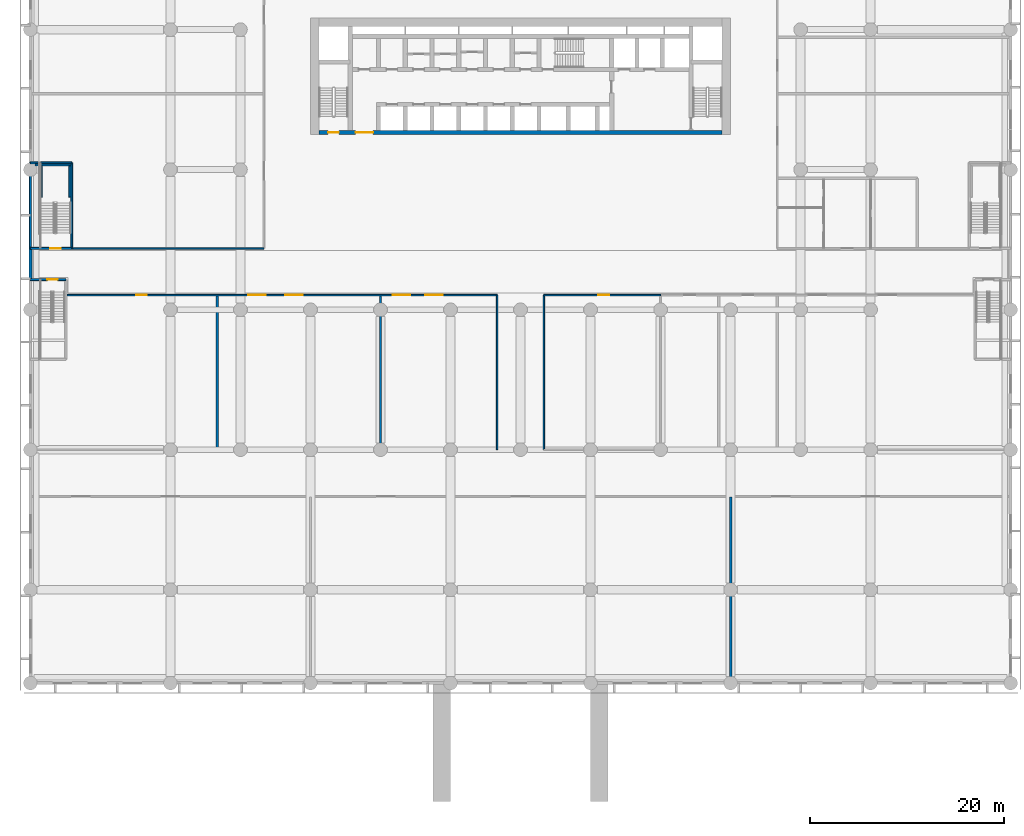
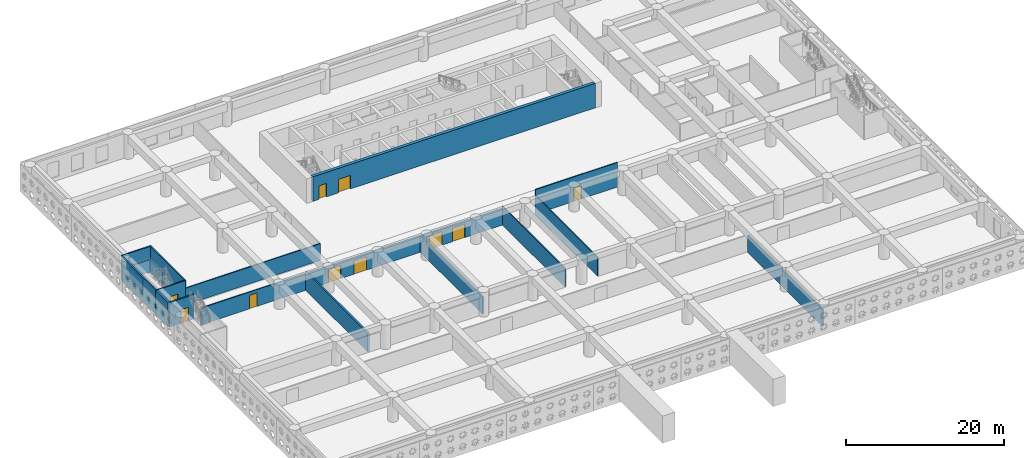
# One storey, part 4 of 23: 18 walls, 10 doors, 10 openings.
"""IFC4 building model written with IfcOpenShell, lengths in metres."""

from ifc_helpers import new_model, si_unit, direction, frame, frame_2d, origin, place, context, subcontext, project, spatial, rectangle, extrude, material, layer, layer_set, type_object, element, fill, save


model = new_model("IFC4")

# Units and contexts
model_context = context("Model", 3, precision=1e-05, world=origin(), true_north=direction((0.0, 1.0)))
body_context = subcontext(model_context, "Body", "Model", "MODEL_VIEW")
ifc_project = project(units=[si_unit("LENGTHUNIT", "METRE"), si_unit("AREAUNIT", "SQUARE_METRE"), si_unit("VOLUMEUNIT", "CUBIC_METRE"), si_unit("PLANEANGLEUNIT", "RADIAN"), si_unit("MASSUNIT", "GRAM", prefix="KILO")], contexts=[model_context])

# Site, building, storey
site_placement = place(None, origin())
site = spatial("IfcSite", under=ifc_project, at=site_placement, CompositionType="ELEMENT")
building_placement = place(site_placement, origin())
building = spatial("IfcBuilding", under=site, at=building_placement, Name="Saffron Iwan Residences", CompositionType="ELEMENT")
storey_placement = place(building_placement, frame((0.0, 0.0, 17.39990234375)))
storey = spatial("IfcBuildingStorey", under=building, at=storey_placement, Name="L03", CompositionType="ELEMENT", Elevation=17.39990234375)

# Wall, openings, doors
ifc_material_1 = material(Name="Concrete blockwork", Category="masonry")
ifc_layer_1 = layer(ifc_material_1, 0.14990234375)
ifc_layer_set_1 = layer_set([ifc_layer_1], Name="Concrete blockwork")
wall_type_1 = type_object("IfcWallType", Name="Blockwork partition 150", PredefinedType="PARTITIONING", material=ifc_layer_set_1)
wall_1_placement = place(storey_placement, frame((3.75, 49.5, 0.0), z_axis=(0.0, 0.0, 1.0), x_axis=(1.0, 0.0, 0.0)))
wall_1 = element("IfcWall", 1, at=wall_1_placement, inside=storey, type_object=wall_type_1, Name="W-L03-008", PredefinedType="PARTITIONING", context=body_context, shape_type="SweptSolid", body=[
    extrude(rectangle(XDim=44.25, YDim=0.14990234375, at=frame_2d((22.125, 0.0))), origin(), (0.0, 0.0, 1.0), 2.60009765625),
])
opening_1_placement = place(wall_1_placement, frame((7.125, 0.0, 0.0)))
opening_1 = element("IfcOpeningElement", 2, at=opening_1_placement, cuts=wall_1, Name="Opening L03.07", PredefinedType="OPENING", context=body_context, shape_type="SweptSolid", body=[
    extrude(rectangle(XDim=1.10009765625, YDim=2.10009765625, at=frame_2d((0.550048828125, 1.050048828125))), frame((0.0, 0.0849609375, 0.0), z_axis=(0.0, -1.0, 0.0), x_axis=(1.0, 0.0, 0.0)), (0.0, 0.0, 1.0), 0.169921875),
])
opening_2_placement = place(wall_1_placement, frame((22.449951171875, 0.0, 0.0)))
opening_2 = element("IfcOpeningElement", 3, at=opening_2_placement, cuts=wall_1, Name="Opening L03.08", PredefinedType="OPENING", context=body_context, shape_type="SweptSolid", body=[
    extrude(rectangle(XDim=1.800048828125, YDim=2.10009765625, at=frame_2d((0.89990234375, 1.050048828125))), frame((0.0, 0.0849609375, 0.0), z_axis=(0.0, -1.0, 0.0), x_axis=(1.0, 0.0, 0.0)), (0.0, 0.0, 1.0), 0.169921875),
])
opening_3_placement = place(wall_1_placement, frame((18.674072265625, 0.0, 0.0)))
opening_3 = element("IfcOpeningElement", 4, at=opening_3_placement, cuts=wall_1, Name="Opening L03.09", PredefinedType="OPENING", context=body_context, shape_type="SweptSolid", body=[
    extrude(rectangle(XDim=1.800048828125, YDim=2.10009765625, at=frame_2d((0.89990234375, 1.050048828125))), frame((0.0, 0.0849609375, 0.0), z_axis=(0.0, -1.0, 0.0), x_axis=(1.0, 0.0, 0.0)), (0.0, 0.0, 1.0), 0.169921875),
])
opening_4_placement = place(wall_1_placement, frame((36.85009765625, 0.0, 0.0)))
opening_4 = element("IfcOpeningElement", 5, at=opening_4_placement, cuts=wall_1, Name="Opening L03.10", PredefinedType="OPENING", context=body_context, shape_type="SweptSolid", body=[
    extrude(rectangle(XDim=1.800048828125, YDim=2.10009765625, at=frame_2d((0.89990234375, 1.050048828125))), frame((0.0, 0.0849609375, 0.0), z_axis=(0.0, -1.0, 0.0), x_axis=(1.0, 0.0, 0.0)), (0.0, 0.0, 1.0), 0.169921875),
])
opening_5_placement = place(wall_1_placement, frame((33.510009765625, 0.0, 0.0)))
opening_5 = element("IfcOpeningElement", 6, at=opening_5_placement, cuts=wall_1, Name="Opening L03.11", PredefinedType="OPENING", context=body_context, shape_type="SweptSolid", body=[
    extrude(rectangle(XDim=1.800048828125, YDim=2.10009765625, at=frame_2d((0.89990234375, 1.050048828125))), frame((0.0, 0.0849609375, 0.0), z_axis=(0.0, -1.0, 0.0), x_axis=(1.0, 0.0, 0.0)), (0.0, 0.0, 1.0), 0.169921875),
])
ifc_material_2 = material(Name="Timber", Category="wood")
door_type_1 = type_object("IfcDoorType", Name="Door 1100x2100", OperationType="NOTDEFINED", PredefinedType="DOOR", material=ifc_material_2)
door_1_placement = place(opening_1_placement, origin())
door_1 = element("IfcDoor", 7, at=door_1_placement, inside=storey, type_object=door_type_1, Name="D-L03-007", OperationType="SINGLE_SWING_LEFT", OverallHeight=2.10009765625, OverallWidth=1.10009765625, PredefinedType="DOOR", context=body_context, shape_type="SweptSolid", body=[
    extrude(rectangle(XDim=1.10009765625, YDim=2.10009765625, at=frame_2d((0.550048828125, 1.050048828125))), frame((0.0, 0.02490234375, 0.0), z_axis=(0.0, -1.0, 0.0), x_axis=(1.0, 0.0, 0.0)), (0.0, 0.0, 1.0), 0.050048828125),
])
fill(opening_1, door_1)
door_type_2 = type_object("IfcDoorType", Name="Door 1800x2100", OperationType="DOUBLE_DOOR_SINGLE_SWING", PredefinedType="DOOR", material=ifc_material_2)
door_2_placement = place(opening_2_placement, origin())
door_2 = element("IfcDoor", 8, at=door_2_placement, inside=storey, type_object=door_type_2, Name="D-L03-008", OperationType="DOUBLE_DOOR_SINGLE_SWING", OverallHeight=2.10009765625, OverallWidth=1.800048828125, PredefinedType="DOOR", context=body_context, shape_type="SweptSolid", body=[
    extrude(rectangle(XDim=1.800048828125, YDim=2.10009765625, at=frame_2d((0.89990234375, 1.050048828125))), frame((0.0, 0.02490234375, 0.0), z_axis=(0.0, -1.0, 0.0), x_axis=(1.0, 0.0, 0.0)), (0.0, 0.0, 1.0), 0.050048828125),
])
fill(opening_2, door_2)
door_3_placement = place(opening_3_placement, origin())
door_3 = element("IfcDoor", 9, at=door_3_placement, inside=storey, type_object=door_type_2, Name="D-L03-009", OperationType="DOUBLE_DOOR_SINGLE_SWING", OverallHeight=2.10009765625, OverallWidth=1.800048828125, PredefinedType="DOOR", context=body_context, shape_type="SweptSolid", body=[
    extrude(rectangle(XDim=1.800048828125, YDim=2.10009765625, at=frame_2d((0.89990234375, 1.050048828125))), frame((0.0, 0.02490234375, 0.0), z_axis=(0.0, -1.0, 0.0), x_axis=(1.0, 0.0, 0.0)), (0.0, 0.0, 1.0), 0.050048828125),
])
fill(opening_3, door_3)
door_4_placement = place(opening_4_placement, origin())
door_4 = element("IfcDoor", 10, at=door_4_placement, inside=storey, type_object=door_type_2, Name="D-L03-010", OperationType="DOUBLE_DOOR_SINGLE_SWING", OverallHeight=2.10009765625, OverallWidth=1.800048828125, PredefinedType="DOOR", context=body_context, shape_type="SweptSolid", body=[
    extrude(rectangle(XDim=1.800048828125, YDim=2.10009765625, at=frame_2d((0.89990234375, 1.050048828125))), frame((0.0, 0.02490234375, 0.0), z_axis=(0.0, -1.0, 0.0), x_axis=(1.0, 0.0, 0.0)), (0.0, 0.0, 1.0), 0.050048828125),
])
fill(opening_4, door_4)
door_5_placement = place(opening_5_placement, origin())
door_5 = element("IfcDoor", 11, at=door_5_placement, inside=storey, type_object=door_type_2, Name="D-L03-011", OperationType="DOUBLE_DOOR_SINGLE_SWING", OverallHeight=2.10009765625, OverallWidth=1.800048828125, PredefinedType="DOOR", context=body_context, shape_type="SweptSolid", body=[
    extrude(rectangle(XDim=1.800048828125, YDim=2.10009765625, at=frame_2d((0.89990234375, 1.050048828125))), frame((0.0, 0.02490234375, 0.0), z_axis=(0.0, -1.0, 0.0), x_axis=(1.0, 0.0, 0.0)), (0.0, 0.0, 1.0), 0.050048828125),
])
fill(opening_5, door_5)

# Wall, opening, door
wall_2_placement = place(storey_placement, frame((52.800048828125, 49.5, 0.0), z_axis=(0.0, 0.0, 1.0), x_axis=(1.0, 0.0, 0.0)))
wall_2 = element("IfcWall", 12, at=wall_2_placement, inside=storey, type_object=wall_type_1, Name="W-L03-010", PredefinedType="PARTITIONING", context=body_context, shape_type="SweptSolid", body=[
    extrude(rectangle(XDim=12.0, YDim=0.14990234375, at=frame_2d((6.0, 0.0))), origin(), (0.0, 0.0, 1.0), 3.800048828125),
])
opening_6_placement = place(wall_2_placement, frame((5.60009765625, 0.0, 0.0)))
opening_6 = element("IfcOpeningElement", 13, at=opening_6_placement, cuts=wall_2, Name="Opening L03.12", PredefinedType="OPENING", context=body_context, shape_type="SweptSolid", body=[
    extrude(rectangle(XDim=1.10009765625, YDim=2.10009765625, at=frame_2d((0.550048828125, 1.050048828125))), frame((0.0, 0.0849609375, 0.0), z_axis=(0.0, -1.0, 0.0), x_axis=(1.0, 0.0, 0.0)), (0.0, 0.0, 1.0), 0.169921875),
])
ifc_material_3 = material(Name="Steel", Category="steel")
door_type_3 = type_object("IfcDoorType", Name="Fire door 1100x2100", OperationType="NOTDEFINED", PredefinedType="DOOR", material=ifc_material_3)
door_6_placement = place(opening_6_placement, origin())
door_6 = element("IfcDoor", 14, at=door_6_placement, inside=storey, type_object=door_type_3, Name="D-L03-012", OperationType="SINGLE_SWING_RIGHT", OverallHeight=2.10009765625, OverallWidth=1.10009765625, PredefinedType="DOOR", context=body_context, shape_type="SweptSolid", body=[
    extrude(rectangle(XDim=1.10009765625, YDim=2.10009765625, at=frame_2d((0.550048828125, 1.050048828125))), frame((0.0, 0.02490234375, 0.0), z_axis=(0.0, -1.0, 0.0), x_axis=(1.0, 0.0, 0.0)), (0.0, 0.0, 1.0), 0.050048828125),
])
fill(opening_6, door_6)

# Walls
wall_3_placement = place(storey_placement, frame((4.25, 54.300048828125, 0.0), z_axis=(0.0, 0.0, 1.0), x_axis=(1.0, 0.0, 0.0)))
element("IfcWall", 15, at=wall_3_placement, inside=storey, type_object=wall_type_1, Name="W-L03-013", PredefinedType="PARTITIONING", context=body_context, shape_type="SweptSolid", body=[
    extrude(rectangle(XDim=19.75, YDim=0.14990234375, at=frame_2d((9.875, 0.0))), origin(), (0.0, 0.0, 1.0), 2.60009765625),
])
for number, where, z_axis, x_axis, name in (
    (16, (48.0, 33.60009765625, 0.0), (0.0, 0.0, 1.0), (0.0, 1.0, 0.0), "W-L03-036"),
    (17, (52.800048828125, 33.60009765625, 0.0), (0.0, 0.0, 1.0), (0.0, 1.0, 0.0), "W-L03-037"),
):
    element("IfcWall", number, at=place(storey_placement, frame(where, z_axis=z_axis, x_axis=x_axis)), inside=storey, type_object=wall_type_1, Name=name, PredefinedType="PARTITIONING", context=body_context, shape_type="SweptSolid", body=[
        extrude(rectangle(XDim=15.89990234375, YDim=0.14990234375, at=frame_2d((7.949951171875, 0.0))), origin(), (0.0, 0.0, 1.0), 2.900146484375),
    ])
ifc_material_4 = material(Name="Concrete C40/50", Category="concrete")
ifc_layer_2 = layer(ifc_material_4, 0.25)
ifc_layer_set_2 = layer_set([ifc_layer_2], Name="Concrete C40/50")
wall_type_2 = type_object("IfcWallType", Name="Fire compartment wall 250", PredefinedType="SOLIDWALL", material=ifc_layer_set_2)
wall_4_placement = place(storey_placement, frame((19.199951171875, 33.675048828125, 0.0), z_axis=(0.0, 0.0, 1.0), x_axis=(0.0, 1.0, 0.0)))
element("IfcWall", 18, at=wall_4_placement, inside=storey, type_object=wall_type_2, Name="W-L03-032", PredefinedType="SOLIDWALL", context=body_context, shape_type="SweptSolid", body=[
    extrude(rectangle(XDim=15.75, YDim=0.25, at=frame_2d((7.875, 0.0))), origin(), (0.0, 0.0, 1.0), 2.900146484375),
])
wall_5_placement = place(storey_placement, frame((36.0, 33.675048828125, 0.0), z_axis=(0.0, 0.0, 1.0), x_axis=(0.0, 1.0, 0.0)))
element("IfcWall", 19, at=wall_5_placement, inside=storey, type_object=wall_type_2, Name="W-L03-035", PredefinedType="SOLIDWALL", context=body_context, shape_type="SweptSolid", body=[
    extrude(rectangle(XDim=15.75, YDim=0.25, at=frame_2d((7.875, 0.0))), origin(), (0.0, 0.0, 1.0), 2.60009765625),
])
wall_6_placement = place(storey_placement, frame((72.0, 9.75, 0.0), z_axis=(0.0, 0.0, 1.0), x_axis=(0.0, 1.0, 0.0)))
element("IfcWall", 20, at=wall_6_placement, inside=storey, type_object=wall_type_2, Name="W-L03-040", PredefinedType="SOLIDWALL", context=body_context, shape_type="SweptSolid", body=[
    extrude(rectangle(XDim=18.97509765625, YDim=0.25, at=frame_2d((9.487548828125, 0.0))), origin(), (0.0, 0.0, 1.0), 2.60009765625),
])
ifc_layer_3 = layer(ifc_material_4, 0.199951171875)
ifc_layer_set_3 = layer_set([ifc_layer_3], Name="Concrete C40/50")
wall_type_3 = type_object("IfcWallType", Name="Landing support wall, reinforced concrete 200", PredefinedType="SOLIDWALL", material=ifc_layer_set_3)
for number, where, z_axis, x_axis, name in (
    (21, (1.10009765625, 59.580078125, 0.0), (0.0, 0.0, 1.0), (0.0, 1.0, 0.0), "PS3 landing support wall"),
    (22, (4.050048828125, 59.580078125, 0.0), (0.0, 0.0, 1.0), (0.0, 1.0, 0.0), "PS3 landing support wall"),
):
    element("IfcWall", number, at=place(storey_placement, frame(where, z_axis=z_axis, x_axis=x_axis)), inside=storey, type_object=wall_type_3, Name=name, PredefinedType="SOLIDWALL", context=body_context, shape_type="SweptSolid", body=[
        extrude(rectangle(XDim=3.219970703125, YDim=0.199951171875, at=frame_2d((1.60986328125, 0.0))), origin(), (0.0, 0.0, 1.0), 1.900146484375),
    ])
wall_7_placement = place(storey_placement, frame((0.489990234375, 62.89990234375, 0.0), z_axis=(0.0, 0.0, 1.0), x_axis=(1.0, 0.0, 0.0)))
element("IfcWall", 23, at=wall_7_placement, inside=storey, type_object=wall_type_3, Name="PS3 landing support wall", PredefinedType="SOLIDWALL", context=body_context, shape_type="SweptSolid", body=[
    extrude(rectangle(XDim=3.659912109375, YDim=0.199951171875, at=frame_2d((1.830078125, 0.0))), origin(), (0.0, 0.0, 1.0), 1.900146484375),
])
ifc_material_5 = material(Name="Precast concrete C40/50", Category="concrete")
ifc_layer_4 = layer(ifc_material_5, 0.300048828125)
ifc_layer_set_4 = layer_set([ifc_layer_4], Name="Precast concrete C40/50")
wall_type_4 = type_object("IfcWallType", Name="Podium external wall 300", PredefinedType="SOLIDWALL", material=ifc_layer_set_4)
wall_8_placement = place(storey_placement, frame((0.0, 51.10009765625, 0.0), z_axis=(0.0, 0.0, 1.0), x_axis=(0.0, 1.0, 0.0)))
element("IfcWall", 24, at=wall_8_placement, inside=storey, type_object=wall_type_4, Name="W-L03-026", PredefinedType="SOLIDWALL", context=body_context, shape_type="SweptSolid", body=[
    extrude(rectangle(XDim=3.199951171875, YDim=0.300048828125, at=frame_2d((1.60009765625, 0.0))), origin(), (0.0, 0.0, 1.0), 3.800048828125),
])

# Wall, opening, door
ifc_layer_5 = layer(ifc_material_4, 0.199951171875)
ifc_layer_set_5 = layer_set([ifc_layer_5], Name="Concrete C40/50")
wall_type_5 = type_object("IfcWallType", Name="Reinforced concrete stair wall 200", PredefinedType="SOLIDWALL", material=ifc_layer_set_5)
wall_9_placement = place(storey_placement, frame((0.0, 51.10009765625, 0.0), z_axis=(0.0, 0.0, 1.0), x_axis=(1.0, 0.0, 0.0)))
wall_9 = element("IfcWall", 25, at=wall_9_placement, inside=storey, type_object=wall_type_5, Name="W-L03-011", PredefinedType="SOLIDWALL", context=body_context, shape_type="SweptSolid", body=[
    extrude(rectangle(XDim=3.64990234375, YDim=0.199951171875, at=frame_2d((1.824951171875, 0.0))), origin(), (0.0, 0.0, 1.0), 3.800048828125),
])
opening_7_placement = place(wall_9_placement, frame((1.72509765625, 0.0, 0.0)))
opening_7 = element("IfcOpeningElement", 26, at=opening_7_placement, cuts=wall_9, Name="Opening L03.26", PredefinedType="OPENING", context=body_context, shape_type="SweptSolid", body=[
    extrude(rectangle(XDim=1.10009765625, YDim=2.10009765625, at=frame_2d((0.550048828125, 1.050048828125))), frame((0.0, 0.10986328125, 0.0), z_axis=(0.0, -1.0, 0.0), x_axis=(1.0, 0.0, 0.0)), (0.0, 0.0, 1.0), 0.219970703125),
])
door_7_placement = place(opening_7_placement, origin())
door_7 = element("IfcDoor", 27, at=door_7_placement, inside=storey, type_object=door_type_3, Name="D-L03-026", OperationType="SINGLE_SWING_RIGHT", OverallHeight=2.10009765625, OverallWidth=1.10009765625, PredefinedType="DOOR", context=body_context, shape_type="SweptSolid", body=[
    extrude(rectangle(XDim=1.10009765625, YDim=2.10009765625, at=frame_2d((0.550048828125, 1.050048828125))), frame((0.0, 0.02490234375, 0.0), z_axis=(0.0, -1.0, 0.0), x_axis=(1.0, 0.0, 0.0)), (0.0, 0.0, 1.0), 0.050048828125),
])
fill(opening_7, door_7)

wall_10_placement = place(storey_placement, frame((0.0, 54.300048828125, 0.0), z_axis=(0.0, 0.0, 1.0), x_axis=(1.0, 0.0, 0.0)))
wall_10 = element("IfcWall", 28, at=wall_10_placement, inside=storey, type_object=wall_type_5, Name="W-L03-015", PredefinedType="SOLIDWALL", context=body_context, shape_type="SweptSolid", body=[
    extrude(rectangle(XDim=4.25, YDim=0.199951171875, at=frame_2d((2.125, 0.0))), origin(), (0.0, 0.0, 1.0), 3.800048828125),
])
opening_8_placement = place(wall_10_placement, frame((2.02490234375, 0.0, 0.0)))
opening_8 = element("IfcOpeningElement", 29, at=opening_8_placement, cuts=wall_10, Name="Opening L03.28", PredefinedType="OPENING", context=body_context, shape_type="SweptSolid", body=[
    extrude(rectangle(XDim=1.10009765625, YDim=2.10009765625, at=frame_2d((0.550048828125, 1.050048828125))), frame((0.0, 0.10986328125, 0.0), z_axis=(0.0, -1.0, 0.0), x_axis=(1.0, 0.0, 0.0)), (0.0, 0.0, 1.0), 0.219970703125),
])
door_8_placement = place(opening_8_placement, origin())
door_8 = element("IfcDoor", 30, at=door_8_placement, inside=storey, type_object=door_type_3, Name="D-L03-028", OperationType="SINGLE_SWING_RIGHT", OverallHeight=2.10009765625, OverallWidth=1.10009765625, PredefinedType="DOOR", context=body_context, shape_type="SweptSolid", body=[
    extrude(rectangle(XDim=1.10009765625, YDim=2.10009765625, at=frame_2d((0.550048828125, 1.050048828125))), frame((0.0, 0.02490234375, 0.0), z_axis=(0.0, -1.0, 0.0), x_axis=(1.0, 0.0, 0.0)), (0.0, 0.0, 1.0), 0.050048828125),
])
fill(opening_8, door_8)

# Walls
wall_11_placement = place(storey_placement, frame((0.0, 63.10009765625, 0.0), z_axis=(0.0, 0.0, 1.0), x_axis=(1.0, 0.0, 0.0)))
element("IfcWall", 31, at=wall_11_placement, inside=storey, type_object=wall_type_5, Name="W-L03-019", PredefinedType="SOLIDWALL", context=body_context, shape_type="SweptSolid", body=[
    extrude(rectangle(XDim=4.25, YDim=0.199951171875, at=frame_2d((2.125, 0.0))), origin(), (0.0, 0.0, 1.0), 3.800048828125),
])
for number, where, z_axis, x_axis, name in (
    (32, (0.0, 54.300048828125, 0.0), (0.0, 0.0, 1.0), (0.0, 1.0, 0.0), "W-L03-029"),
    (33, (4.25, 54.300048828125, 0.0), (0.0, 0.0, 1.0), (0.0, 1.0, 0.0), "W-L03-031"),
):
    element("IfcWall", number, at=place(storey_placement, frame(where, z_axis=z_axis, x_axis=x_axis)), inside=storey, type_object=wall_type_5, Name=name, PredefinedType="SOLIDWALL", context=body_context, shape_type="SweptSolid", body=[
        extrude(rectangle(XDim=8.800048828125, YDim=0.199951171875, at=frame_2d((4.39990234375, 0.0))), origin(), (0.0, 0.0, 1.0), 3.800048828125),
    ])

# Wall, openings, doors
ifc_material_6 = material(Name="Concrete C60/75", Category="concrete")
ifc_layer_6 = layer(ifc_material_6, 0.449951171875)
ifc_layer_set_6 = layer_set([ifc_layer_6], Name="Concrete C60/75")
wall_type_6 = type_object("IfcWallType", Name="WALL CORE 450 C60/75 3800 HIGH", PredefinedType="SHEAR", material=ifc_layer_set_6)
wall_12_placement = place(storey_placement, frame((29.699951171875, 66.22509765625, 0.0), z_axis=(0.0, 0.0, 1.0), x_axis=(1.0, 0.0, 0.0)))
wall_12 = element("IfcWall", 34, at=wall_12_placement, inside=storey, type_object=wall_type_6, Name="Core wall", PredefinedType="SHEAR", context=body_context, shape_type="SweptSolid", body=[
    extrude(rectangle(XDim=41.400146484375, YDim=0.449951171875, at=frame_2d((20.7001953125, 0.0))), origin(), (0.0, 0.0, 1.0), 3.800048828125),
])
opening_9_placement = place(wall_12_placement, frame((0.925048828125, 0.0, 0.0)))
opening_9 = element("IfcOpeningElement", 35, at=opening_9_placement, cuts=wall_12, Name="Opening SD", PredefinedType="OPENING", context=body_context, shape_type="SweptSolid", body=[
    extrude(rectangle(XDim=1.10009765625, YDim=2.10009765625, at=frame_2d((0.550048828125, 1.050048828125))), frame((0.0, 0.23486328125, 0.0), z_axis=(0.0, -1.0, 0.0), x_axis=(1.0, 0.0, 0.0)), (0.0, 0.0, 1.0), 0.469970703125),
])
opening_10_placement = place(wall_12_placement, frame((3.737548828125, 0.0, 0.0)))
opening_10 = element("IfcOpeningElement", 36, at=opening_10_placement, cuts=wall_12, Name="Opening DD", PredefinedType="OPENING", context=body_context, shape_type="SweptSolid", body=[
    extrude(rectangle(XDim=1.800048828125, YDim=2.10009765625, at=frame_2d((0.89990234375, 1.050048828125))), frame((0.0, 0.23486328125, 0.0), z_axis=(0.0, -1.0, 0.0), x_axis=(1.0, 0.0, 0.0)), (0.0, 0.0, 1.0), 0.469970703125),
])
ifc_material_7 = material(Name="Steel fire door", Category="steel")
door_type_4 = type_object("IfcDoorType", Name="Lobby double door 1800", OperationType="DOUBLE_DOOR_SINGLE_SWING", PredefinedType="DOOR", material=ifc_material_7)
door_9_placement = place(opening_10_placement, origin())
door_9 = element("IfcDoor", 37, at=door_9_placement, inside=storey, type_object=door_type_4, Name="Lobby doors", OperationType="DOUBLE_DOOR_SINGLE_SWING", OverallHeight=2.10009765625, OverallWidth=1.800048828125, PredefinedType="DOOR", context=body_context, shape_type="SweptSolid", body=[
    extrude(rectangle(XDim=1.800048828125, YDim=2.10009765625, at=frame_2d((0.89990234375, 1.050048828125))), frame((0.0, 0.02490234375, 0.0), z_axis=(0.0, -1.0, 0.0), x_axis=(1.0, 0.0, 0.0)), (0.0, 0.0, 1.0), 0.050048828125),
])
fill(opening_10, door_9)
door_type_5 = type_object("IfcDoorType", Name="Stair door 1100", OperationType="NOTDEFINED", PredefinedType="DOOR", material=ifc_material_7)
door_10_placement = place(opening_9_placement, origin())
door_10 = element("IfcDoor", 38, at=door_10_placement, inside=storey, type_object=door_type_5, Name="Stair door ST-W", OperationType="SINGLE_SWING_LEFT", OverallHeight=2.10009765625, OverallWidth=1.10009765625, PredefinedType="DOOR", context=body_context, shape_type="SweptSolid", body=[
    extrude(rectangle(XDim=1.10009765625, YDim=2.10009765625, at=frame_2d((0.550048828125, 1.050048828125))), frame((0.0, 0.02490234375, 0.0), z_axis=(0.0, -1.0, 0.0), x_axis=(1.0, 0.0, 0.0)), (0.0, 0.0, 1.0), 0.050048828125),
])
fill(opening_9, door_10)

save(model, "model.ifc")
